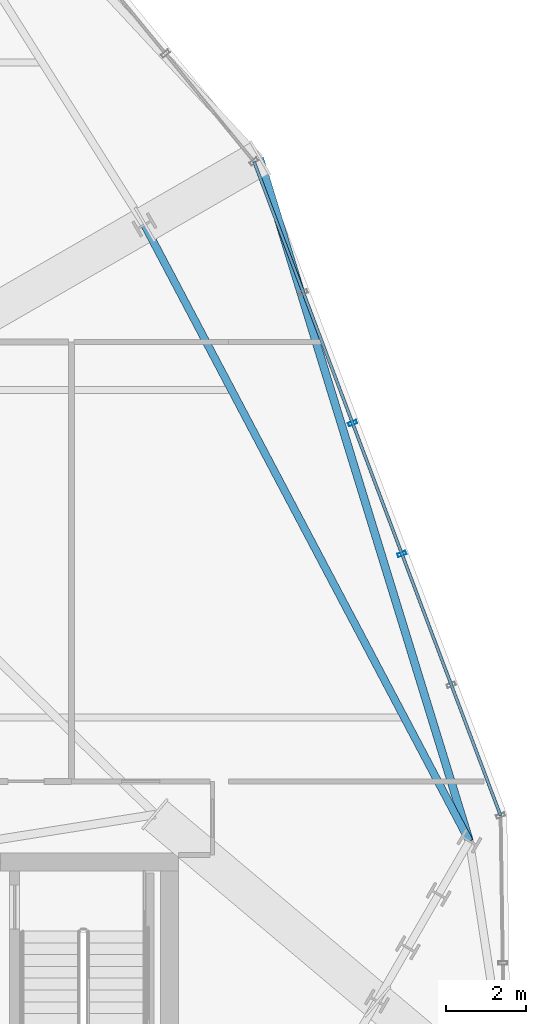
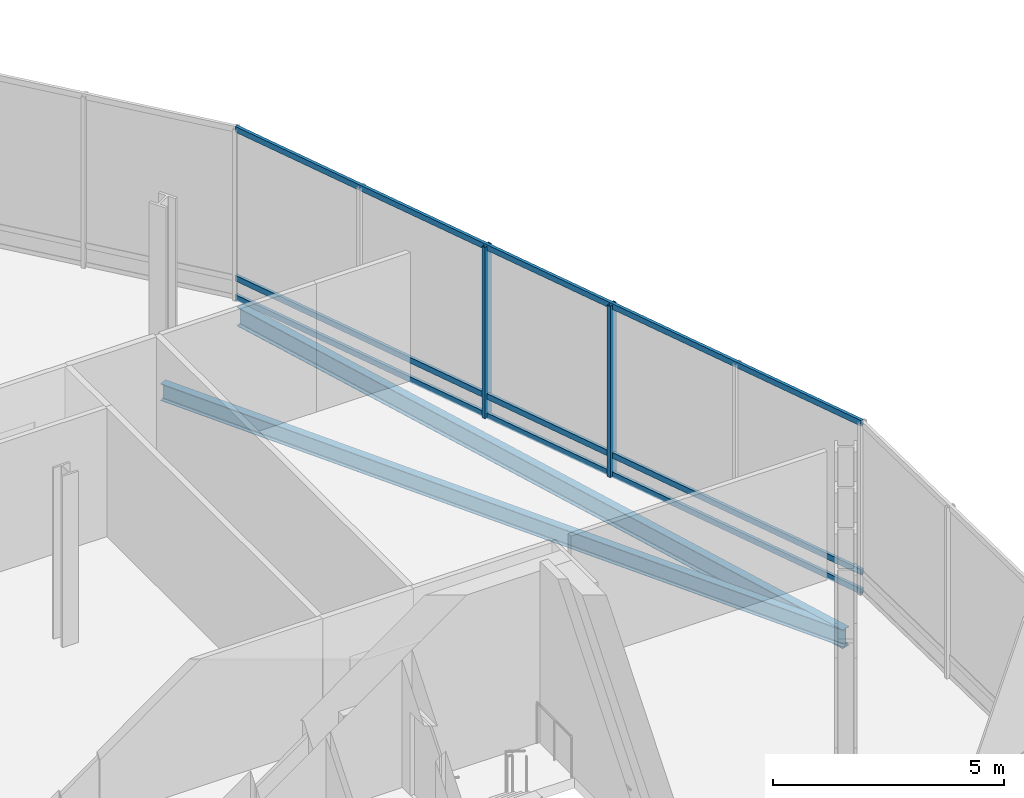
# One storey, part 13 of 26: 5 members, 2 beams, 1 element without a shape of its own.
"""IFC4 building model written with IfcOpenShell, lengths in metres."""

from ifc_helpers import new_model, si_unit, direction, frame, origin, origin_2d, place, context, subcontext, project, spatial, hollow_rectangle, i_section, extrude, material, layer, layer_set, material_profile, profile_set, type_object, element, aggregate, save


model = new_model("IFC4")

# Units and contexts
model_context = context("Model", 3, precision=1e-05, world=origin(), true_north=direction((0.0, 1.0)))
body_context = subcontext(model_context, "Body", "Model", "MODEL_VIEW")
ifc_project = project(units=[si_unit("LENGTHUNIT", "METRE"), si_unit("AREAUNIT", "SQUARE_METRE"), si_unit("VOLUMEUNIT", "CUBIC_METRE"), si_unit("PLANEANGLEUNIT", "RADIAN"), si_unit("MASSUNIT", "GRAM", prefix="KILO")], contexts=[model_context])

# Site, building, storey
site_placement = place(None, origin())
site = spatial("IfcSite", under=ifc_project, at=site_placement, CompositionType="ELEMENT")
building_placement = place(site_placement, origin())
building = spatial("IfcBuilding", under=site, at=building_placement, Name="Ndaravel Arena Tower", CompositionType="ELEMENT")
storey_placement = place(building_placement, frame((0.0, 0.0, 117.39990234375)))
storey = spatial("IfcBuildingStorey", under=building, at=storey_placement, Name="L27", CompositionType="ELEMENT", Elevation=117.39990234375)

# Beams
ifc_material_1 = material(Name="Steel S355", Category="steel")
ifc_material_profile_1 = material_profile(ifc_material_1, i_section(OverallWidth=0.18994140625, OverallDepth=0.449951171875, WebThickness=0.009521484375, FlangeThickness=0.0146484375, FilletRadius=0.02099609375, at=origin_2d()), Name="IPE 450")
ifc_profile_set_1 = profile_set([ifc_material_profile_1], Name="Steel S355")
beam_type_1 = type_object("IfcBeamType", Name="BM-SPAN-IPE450", PredefinedType="SPANDREL", material=ifc_profile_set_1)
beam_1_placement = place(storey_placement, frame((64.83740234375, 15.50439453125, -0.5048828125), z_axis=(-0.466468281773, 0.884537925756, 0.0), x_axis=(-0.884537925756, -0.466468281773, 0.0)))
element("IfcBeam", 1, at=beam_1_placement, inside=storey, type_object=beam_type_1, Name="L27 Perimeter Spandrel Beam SP-09", PredefinedType="SPANDREL", context=body_context, shape_type="SweptSolid", body=[
    extrude(i_section(OverallWidth=0.18994140625, OverallDepth=0.449951171875, WebThickness=0.009521484375, FlangeThickness=0.0146484375, FilletRadius=0.02099609375, at=origin_2d()), origin(), (0.0, 0.0, 1.0), 17.448486328125),
])
ifc_material_2 = material(Name="Steel S355", Category="steel")
ifc_material_profile_2 = material_profile(ifc_material_2, i_section(OverallWidth=0.199951171875, OverallDepth=0.5, WebThickness=0.01025390625, FlangeThickness=0.01611328125, FilletRadius=0.02099609375, at=origin_2d()), Name="IPE 500")
ifc_profile_set_2 = profile_set([ifc_material_profile_2], Name="Steel S355")
beam_type_2 = type_object("IfcBeamType", Name="BM-SPAN-IPE500", PredefinedType="SPANDREL", material=ifc_profile_set_2)
beam_2_placement = place(storey_placement, frame((64.83740234375, 15.50439453125, -0.52978515625), z_axis=(-0.293776057664, 0.95587427413, 0.0), x_axis=(-0.95587427413, -0.293776057664, 0.0)))
element("IfcBeam", 2, at=beam_2_placement, inside=storey, type_object=beam_type_2, Name="L27 Star Facet Edge Beam SEA-4", PredefinedType="SPANDREL", context=body_context, shape_type="SweptSolid", body=[
    extrude(i_section(OverallWidth=0.199951171875, OverallDepth=0.5, WebThickness=0.01025390625, FlangeThickness=0.01611328125, FilletRadius=0.02099609375, at=origin_2d()), origin(), (0.0, 0.0, 1.0), 17.88818359375),
])

# Curtain wall, members
ifc_material_3 = material(Name="Aluminium", Category="aluminium")
ifc_layer = layer(ifc_material_3, 0.179931640625)
ifc_layer_set = layer_set([ifc_layer], Name="Aluminium")
curtain_wall_type = type_object("IfcCurtainWallType", Name="CW-SYS-04", PredefinedType="NOTDEFINED", material=ifc_layer_set)
curtain_wall_placement = place(storey_placement, origin())
curtain_wall = element("IfcCurtainWall", 3, at=curtain_wall_placement, inside=storey, type_object=curtain_wall_type, Name="L27 Faceted Crystal Curtain Wall CW-L27-E06", PredefinedType="NOTDEFINED")
ifc_material_4 = material(Name="Aluminium", Category="aluminium")
ifc_material_profile_3 = material_profile(ifc_material_4, hollow_rectangle(XDim=0.090087890625, YDim=0.219970703125, WallThickness=0.0048828125, at=origin_2d()), Name="CW MULLION 90x220x5")
ifc_profile_set_3 = profile_set([ifc_material_profile_3], Name="Aluminium")
member_type_1 = type_object("IfcMemberType", Name="MEM-CW-MUL220", PredefinedType="MULLION", material=ifc_profile_set_3)
member_1_placement = place(storey_placement, frame((63.1474609375, 22.6943359375, 0.0), z_axis=(0.0, 0.0, 1.0), x_axis=(-0.352805363625, 0.935696732599, 0.0)))
member_1 = element("IfcMember", 4, at=member_1_placement, type_object=member_type_1, Name="CW-L27-E06 Mullion 02", PredefinedType="MULLION", context=body_context, shape_type="SweptSolid", body=[
    extrude(hollow_rectangle(XDim=0.090087890625, YDim=0.219970703125, WallThickness=0.0048828125, at=origin_2d()), origin(), (0.0, 0.0, 1.0), 4.52001953125),
])
member_2_placement = place(storey_placement, frame((61.912353515625, 25.97021484375, 0.0), z_axis=(0.0, 0.0, 1.0), x_axis=(-0.352805363625, 0.935696732599, 0.0)))
member_2 = element("IfcMember", 5, at=member_2_placement, type_object=member_type_1, Name="CW-L27-E06 Mullion 03", PredefinedType="MULLION", context=body_context, shape_type="SweptSolid", body=[
    extrude(hollow_rectangle(XDim=0.090087890625, YDim=0.219970703125, WallThickness=0.0048828125, at=origin_2d()), origin(), (0.0, 0.0, 1.0), 4.52001953125),
])
ifc_material_5 = material(Name="Aluminium", Category="aluminium")
ifc_material_profile_4 = material_profile(ifc_material_5, hollow_rectangle(XDim=0.074951171875, YDim=0.14990234375, WallThickness=0.00390625, at=origin_2d()), Name="CW TRANSOM 75x150x4")
ifc_profile_set_4 = profile_set([ifc_material_profile_4], Name="Aluminium")
member_type_2 = type_object("IfcMemberType", Name="MEM-CW-TRN150", PredefinedType="USERDEFINED", material=ifc_profile_set_4)
member_3_placement = place(storey_placement, frame((65.617919921875, 16.142333984375, 0.0400390625), z_axis=(-0.352804095043, 0.935697210919, 0.0), x_axis=(-0.935697210919, -0.352804095043, 0.0)))
member_3 = element("IfcMember", 6, at=member_3_placement, type_object=member_type_2, Name="CW-L27-E06 Transom 01", ObjectType="TRANSOM", PredefinedType="USERDEFINED", context=body_context, shape_type="SweptSolid", body=[
    extrude(hollow_rectangle(XDim=0.074951171875, YDim=0.14990234375, WallThickness=0.00390625, at=origin_2d()), origin(), (0.0, 0.0, 1.0), 17.505615234375),
])
member_4_placement = place(storey_placement, frame((65.617919921875, 16.142333984375, 0.550048828125), z_axis=(-0.352804095043, 0.935697210919, 0.0), x_axis=(-0.935697210919, -0.352804095043, 0.0)))
member_4 = element("IfcMember", 7, at=member_4_placement, type_object=member_type_2, Name="CW-L27-E06 Transom 02", ObjectType="TRANSOM", PredefinedType="USERDEFINED", context=body_context, shape_type="SweptSolid", body=[
    extrude(hollow_rectangle(XDim=0.074951171875, YDim=0.14990234375, WallThickness=0.00390625, at=origin_2d()), origin(), (0.0, 0.0, 1.0), 17.505615234375),
])
member_5_placement = place(storey_placement, frame((65.617919921875, 16.142333984375, 4.47998046875), z_axis=(-0.352804095043, 0.935697210919, 0.0), x_axis=(-0.935697210919, -0.352804095043, 0.0)))
member_5 = element("IfcMember", 8, at=member_5_placement, type_object=member_type_2, Name="CW-L27-E06 Transom 03", ObjectType="TRANSOM", PredefinedType="USERDEFINED", context=body_context, shape_type="SweptSolid", body=[
    extrude(hollow_rectangle(XDim=0.074951171875, YDim=0.14990234375, WallThickness=0.00390625, at=origin_2d()), origin(), (0.0, 0.0, 1.0), 17.505615234375),
])
aggregate(curtain_wall, [member_1, member_2, member_3, member_4, member_5])

save(model, "model.ifc")
